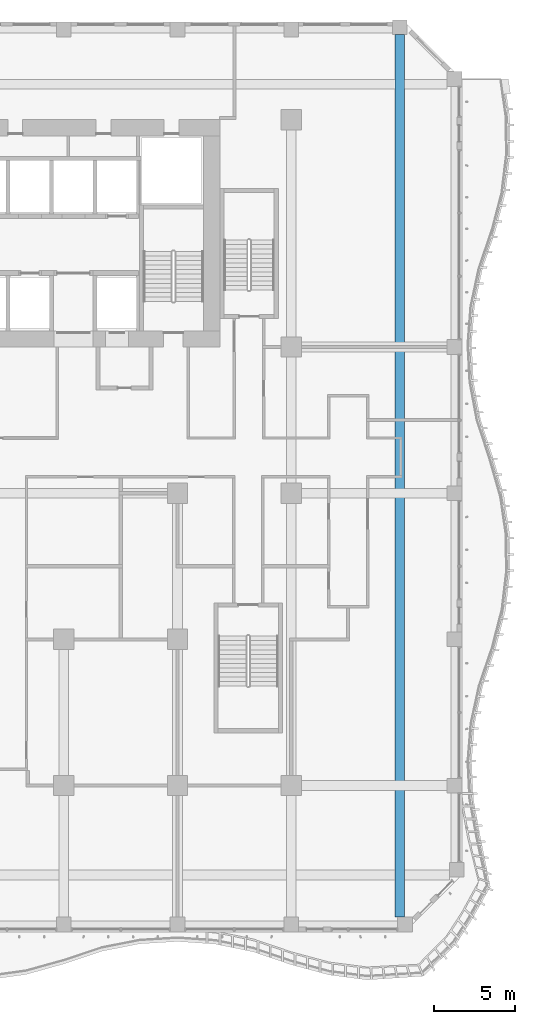
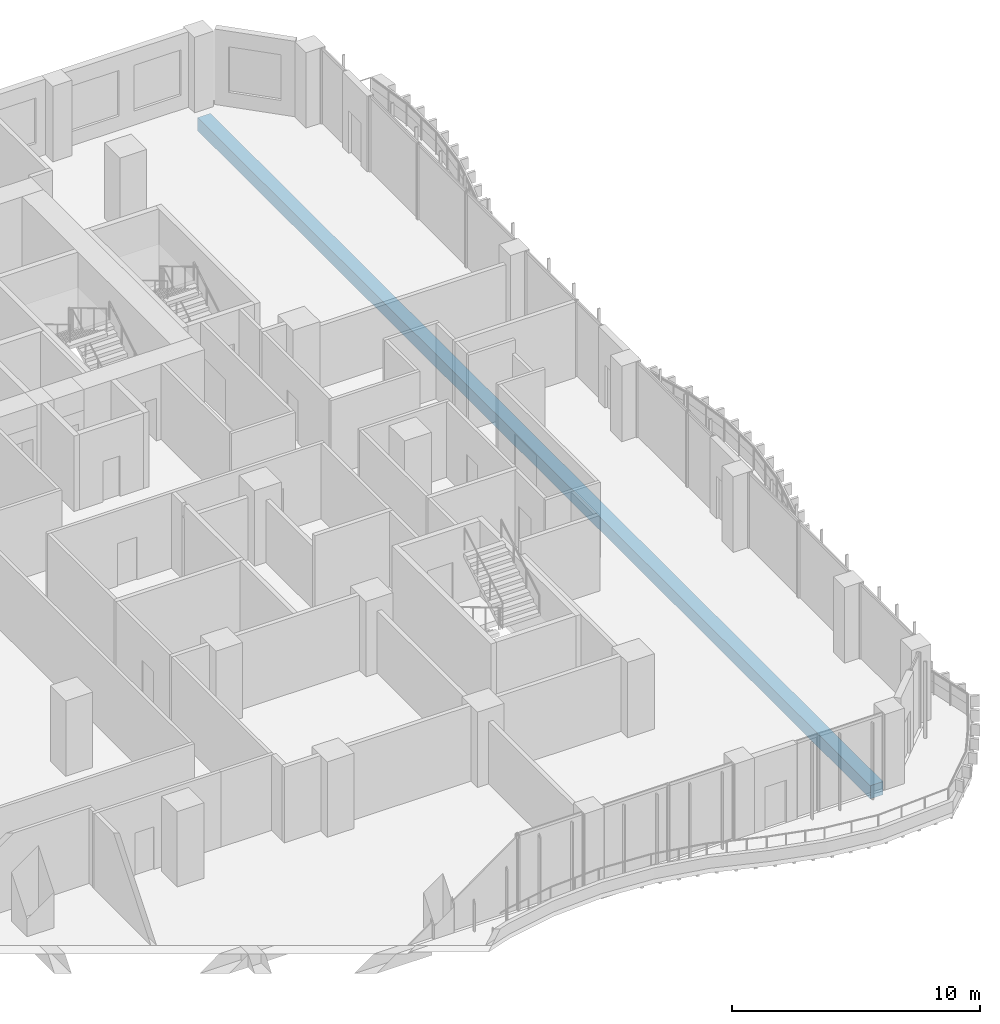
# One storey, part 7 of 28: 1 beam.
"""IFC4 building model written with IfcOpenShell, lengths in metres."""

from ifc_helpers import new_model, si_unit, direction, frame, origin, origin_2d, place, context, subcontext, project, spatial, rectangle, extrude, source, transform, mapped, material, material_profile, profile_set, type_object, element, save


model = new_model("IFC4")

# Units and contexts
model_context = context("Model", 3, precision=1e-05, world=origin(), true_north=direction((0.0, 1.0)))
body_context = subcontext(model_context, "Body", "Model", "MODEL_VIEW")
ifc_project = project(units=[si_unit("LENGTHUNIT", "METRE"), si_unit("AREAUNIT", "SQUARE_METRE"), si_unit("VOLUMEUNIT", "CUBIC_METRE"), si_unit("PLANEANGLEUNIT", "RADIAN"), si_unit("MASSUNIT", "GRAM", prefix="KILO")], contexts=[model_context])

# Site, building, storey
site_placement = place(None, origin())
site = spatial("IfcSite", under=ifc_project, at=site_placement, CompositionType="ELEMENT")
building_placement = place(site_placement, origin())
building = spatial("IfcBuilding", under=site, at=building_placement, Name="Kilnfold Tower and Market Hall", CompositionType="ELEMENT")
storey_placement = place(building_placement, frame((0.0, 0.0, 87.199951171875)))
storey = spatial("IfcBuildingStorey", under=building, at=storey_placement, Name="L20", CompositionType="ELEMENT", Elevation=87.199951171875)

# Beam
ifc_material = material(Name="Concrete C45", Category="concrete")
ifc_material_profile = material_profile(ifc_material, rectangle(XDim=0.60009765625, YDim=0.64990234375, at=origin_2d()), Name="RC 600x650")
ifc_profile_set = profile_set([ifc_material_profile], Name="Concrete C45")
beam_type = type_object("IfcBeamType", Name="BEAM 600X650 C45", PredefinedType="BEAM", material=ifc_profile_set)
shared_shape = source(origin(), body_context, "Body", "SweptSolid", [
    extrude(rectangle(XDim=0.60009765625, YDim=0.64990234375, at=origin_2d()), origin(), (0.0, 0.0, 1.0), 54.331787109375),
])
beam_placement = place(storey_placement, frame((29.179931640625, -27.10009765625, -0.60498046875), z_axis=(0.0, 1.0, 0.0), x_axis=(-1.0, 0.0, 0.0)))
element("IfcBeam", 1, at=beam_placement, inside=storey, type_object=beam_type, Name="Beam BB650-B2.98", PredefinedType="BEAM", context=body_context, shape_type="MappedRepresentation", body=[
    mapped(shared_shape, transform((0.0, 0.0, 0.0))),
])

save(model, "model.ifc")
